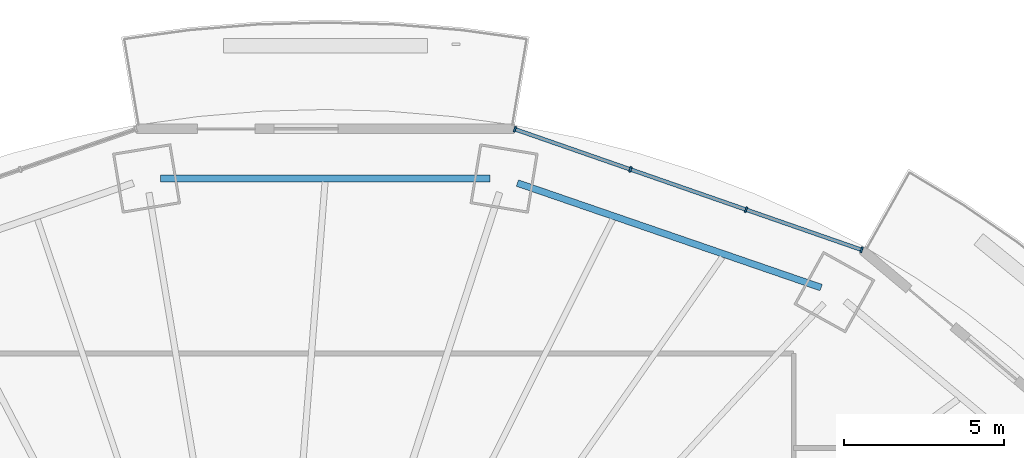
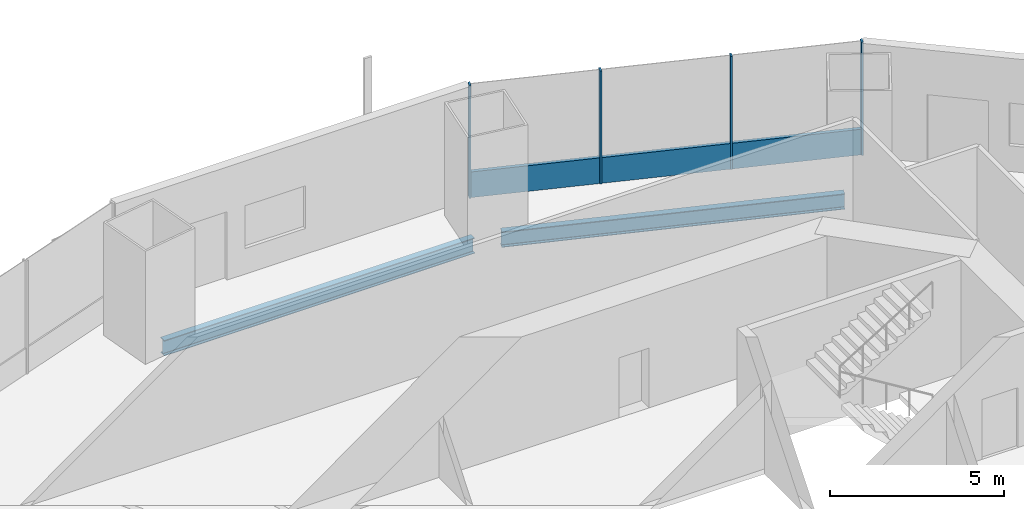
# One storey, part 8 of 19: 5 members, 2 beams, 1 element without a shape of its own.
"""IFC4 building model written with IfcOpenShell, lengths in metres."""

from ifc_helpers import new_model, si_unit, direction, frame, origin, origin_2d, place, context, subcontext, project, spatial, rectangle, i_section, extrude, material, material_profile, profile_set, type_object, element, aggregate, save


model = new_model("IFC4")

# Units and contexts
model_context = context("Model", 3, precision=1e-05, world=origin(), true_north=direction((0.0, 1.0)))
body_context = subcontext(model_context, "Body", "Model", "MODEL_VIEW")
ifc_project = project(units=[si_unit("LENGTHUNIT", "METRE"), si_unit("AREAUNIT", "SQUARE_METRE"), si_unit("VOLUMEUNIT", "CUBIC_METRE"), si_unit("PLANEANGLEUNIT", "RADIAN"), si_unit("MASSUNIT", "GRAM", prefix="KILO")], contexts=[model_context])

# Site, building, storey
site_placement = place(None, origin())
site = spatial("IfcSite", under=ifc_project, at=site_placement, CompositionType="ELEMENT")
building_placement = place(site_placement, origin())
building = spatial("IfcBuilding", under=site, at=building_placement, Name="Marenthal Gate Tower", CompositionType="ELEMENT")
storey_placement = place(building_placement, frame((0.0, 0.0, 235.75)))
storey = spatial("IfcBuildingStorey", under=building, at=storey_placement, Name="L52", CompositionType="ELEMENT", Elevation=235.75)

# Curtain wall, members
ifc_material_1 = material(Name="Aluminium and glass", Category="aluminium")
curtain_wall_type = type_object("IfcCurtainWallType", Name="Curtain wall typical mid", PredefinedType="NOTDEFINED", material=ifc_material_1)
curtain_wall_placement = place(storey_placement, origin())
curtain_wall = element("IfcCurtainWall", 1, at=curtain_wall_placement, inside=storey, type_object=curtain_wall_type, Name="Curtain wall L52 bay 3", PredefinedType="NOTDEFINED")
ifc_material_2 = material(Name="Aluminium", Category="aluminium")
ifc_material_profile_1 = material_profile(ifc_material_2, rectangle(XDim=0.179931640625, YDim=0.06005859375, at=origin_2d()), Name="60x180 aluminium mullion")
ifc_profile_set_1 = profile_set([ifc_material_profile_1], Name="Aluminium")
member_type_1 = type_object("IfcMemberType", Name="Mullion 60x180 typical mid", PredefinedType="MULLION", material=ifc_profile_set_1)
member_1_placement = place(storey_placement, frame((18.574951171875, 20.5283203125, 0.0), z_axis=(0.0, 0.0, 1.0), x_axis=(-0.328540448732, -0.944489901241, 0.0)))
member_1 = element("IfcMember", 2, at=member_1_placement, type_object=member_type_1, Name="Mullion L52 bay 3.1", PredefinedType="MULLION", context=body_context, shape_type="SweptSolid", body=[
    extrude(rectangle(XDim=0.179931640625, YDim=0.06005859375, at=origin_2d()), origin(), (0.0, 0.0, 1.0), 3.969970703125),
])
member_2_placement = place(storey_placement, frame((14.95947265625, 21.785888671875, 0.0), z_axis=(0.0, 0.0, 1.0), x_axis=(-0.328540448732, -0.944489901241, 0.0)))
member_2 = element("IfcMember", 3, at=member_2_placement, type_object=member_type_1, Name="Mullion L52 bay 3.2", PredefinedType="MULLION", context=body_context, shape_type="SweptSolid", body=[
    extrude(rectangle(XDim=0.179931640625, YDim=0.06005859375, at=origin_2d()), origin(), (0.0, 0.0, 1.0), 3.969970703125),
])
member_3_placement = place(storey_placement, frame((11.34423828125, 23.04345703125, 0.0), z_axis=(0.0, 0.0, 1.0), x_axis=(-0.328540448732, -0.944489901241, 0.0)))
member_3 = element("IfcMember", 4, at=member_3_placement, type_object=member_type_1, Name="Mullion L52 bay 3.3", PredefinedType="MULLION", context=body_context, shape_type="SweptSolid", body=[
    extrude(rectangle(XDim=0.179931640625, YDim=0.06005859375, at=origin_2d()), origin(), (0.0, 0.0, 1.0), 3.969970703125),
])
member_4_placement = place(storey_placement, frame((7.728759765625, 24.30126953125, 0.0), z_axis=(0.0, 0.0, 1.0), x_axis=(-0.328540448732, -0.944489901241, 0.0)))
member_4 = element("IfcMember", 5, at=member_4_placement, type_object=member_type_1, Name="Mullion L52 bay 3.4", PredefinedType="MULLION", context=body_context, shape_type="SweptSolid", body=[
    extrude(rectangle(XDim=0.179931640625, YDim=0.06005859375, at=origin_2d()), origin(), (0.0, 0.0, 1.0), 3.969970703125),
])
ifc_material_3 = material(Name="Aluminium", Category="aluminium")
ifc_material_profile_2 = material_profile(ifc_material_3, rectangle(XDim=0.1201171875, YDim=0.89990234375, at=origin_2d()), Name="120x900 aluminium transom")
ifc_profile_set_2 = profile_set([ifc_material_profile_2], Name="Aluminium")
member_type_2 = type_object("IfcMemberType", Name="Transom 120x900 typical mid", PredefinedType="USERDEFINED", material=ifc_profile_set_2)
member_5_placement = place(storey_placement, frame((18.546630859375, 20.538330078125, 0.449951171875), z_axis=(-0.944495643428, 0.328523940598, 0.0), x_axis=(-0.328523940598, -0.944495643428, 0.0)))
member_5 = element("IfcMember", 6, at=member_5_placement, type_object=member_type_2, Name="Transom L52 bay 3", ObjectType="TRANSOM", PredefinedType="USERDEFINED", context=body_context, shape_type="SweptSolid", body=[
    extrude(rectangle(XDim=0.1201171875, YDim=0.89990234375, at=origin_2d()), origin(), (0.0, 0.0, 1.0), 11.423583984375),
])
aggregate(curtain_wall, [member_1, member_2, member_3, member_4, member_5])

# Beams
ifc_material_4 = material(Name="Steel S355", Category="steel")
ifc_material_profile_3 = material_profile(ifc_material_4, i_section(OverallWidth=0.2119140625, OverallDepth=0.5439453125, WebThickness=0.01318359375, FlangeThickness=0.021240234375, FilletRadius=0.0126953125, at=origin_2d()), Name="W530X123")
ifc_profile_set_3 = profile_set([ifc_material_profile_3], Name="Steel S355")
beam_type = type_object("IfcBeamType", Name="W530X123 beam", PredefinedType="BEAM", material=ifc_profile_set_3)
beam_1_placement = place(storey_placement, frame((17.309814453125, 19.347900390625, -0.451904296875), z_axis=(-0.945563077228, 0.325438883638, 0.0), x_axis=(-0.325438883638, -0.945563077228, 0.0)))
element("IfcBeam", 7, at=beam_1_placement, inside=storey, type_object=beam_type, Name="BM-L52-43", PredefinedType="BEAM", context=body_context, shape_type="SweptSolid", body=[
    extrude(i_section(OverallWidth=0.2119140625, OverallDepth=0.5439453125, WebThickness=0.01318359375, FlangeThickness=0.021240234375, FilletRadius=0.0126953125, at=origin_2d()), origin(), (0.0, 0.0, 1.0), 10.05029296875),
])
beam_2_placement = place(storey_placement, frame((6.954833984375, 22.76123046875, -0.451904296875), z_axis=(-1.0, 0.0, 0.0), x_axis=(0.0, -1.0, 0.0)))
element("IfcBeam", 8, at=beam_2_placement, inside=storey, type_object=beam_type, Name="BM-L52-44", PredefinedType="BEAM", context=body_context, shape_type="SweptSolid", body=[
    extrude(i_section(OverallWidth=0.2119140625, OverallDepth=0.5439453125, WebThickness=0.01318359375, FlangeThickness=0.021240234375, FilletRadius=0.0126953125, at=origin_2d()), origin(), (0.0, 0.0, 1.0), 10.3095703125),
])

save(model, "model.ifc")
